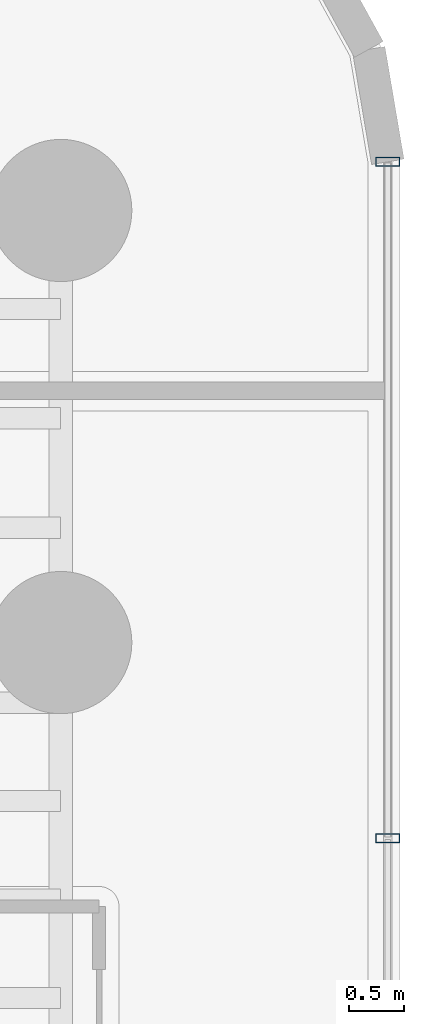
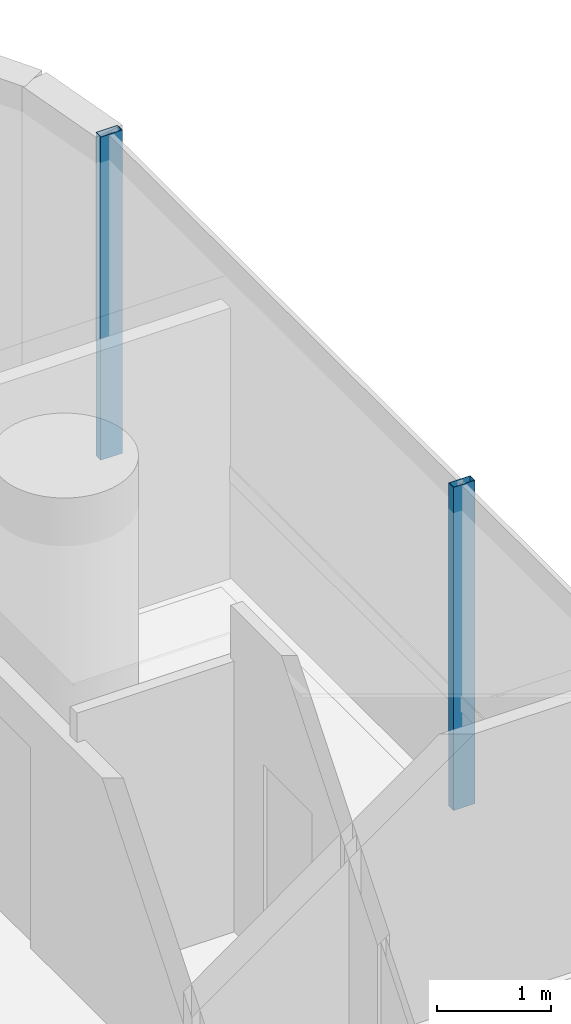
# One storey, part 27 of 42: 2 members, 1 element without a shape of its own.
"""IFC4 building model written with IfcOpenShell, lengths in metres."""

from ifc_helpers import new_model, si_unit, direction, frame, origin, origin_2d, place, context, subcontext, project, spatial, hollow_rectangle, extrude, source, transform, mapped, material, material_profile, profile_set, type_object, element, aggregate, save


model = new_model("IFC4")

# Units and contexts
model_context = context("Model", 3, precision=1e-05, world=origin(), true_north=direction((0.0, 1.0)))
body_context = subcontext(model_context, "Body", "Model", "MODEL_VIEW")
ifc_project = project(units=[si_unit("LENGTHUNIT", "METRE"), si_unit("AREAUNIT", "SQUARE_METRE"), si_unit("VOLUMEUNIT", "CUBIC_METRE"), si_unit("PLANEANGLEUNIT", "RADIAN"), si_unit("MASSUNIT", "GRAM", prefix="KILO")], contexts=[model_context])

# Site, building, storey
site_placement = place(None, origin())
site = spatial("IfcSite", under=ifc_project, at=site_placement, CompositionType="ELEMENT")
building_placement = place(site_placement, origin())
building = spatial("IfcBuilding", under=site, at=building_placement, Name="Valdorenza Pilgrim Sanctuary Tower", CompositionType="ELEMENT")
storey_placement = place(building_placement, frame((0.0, 0.0, 29.699951171875)))
storey = spatial("IfcBuildingStorey", under=building, at=storey_placement, Name="L06", CompositionType="ELEMENT", Elevation=29.699951171875)

# Curtain wall, members
ifc_material_1 = material(Name="Curtain-wall IGU glazing", Category="glass")
curtain_wall_type = type_object("IfcCurtainWallType", Name="CW-SYS-03", PredefinedType="NOTDEFINED", material=ifc_material_1)
curtain_wall_placement = place(storey_placement, origin())
curtain_wall = element("IfcCurtainWall", 1, at=curtain_wall_placement, inside=storey, type_object=curtain_wall_type, Name="L06 Curtain Wall CW-L06-1-21", PredefinedType="NOTDEFINED")
ifc_material_2 = material(Name="Anodised aluminium AW-6060", Category="aluminium")
ifc_material_profile = material_profile(ifc_material_2, hollow_rectangle(XDim=0.0849609375, YDim=0.219970703125, WallThickness=0.0048828125, at=origin_2d()), Name="ALU-M 220x85x5")
ifc_profile_set = profile_set([ifc_material_profile], Name="Anodised aluminium AW-6060")
member_type = type_object("IfcMemberType", Name="CW-MUL-03", PredefinedType="MULLION", material=ifc_profile_set)
shared_shape = source(origin(), body_context, "Body", "SweptSolid", [
    extrude(hollow_rectangle(XDim=0.0849609375, YDim=0.219970703125, WallThickness=0.0048828125, at=origin_2d()), origin(), (0.0, 0.0, 1.0), 3.4599609375),
])
member_1_placement = place(storey_placement, frame((31.389892578125, 13.945068359375, 0.0), z_axis=(0.0, 0.0, 1.0), x_axis=(0.0, -1.0, 0.0)))
member_1 = element("IfcMember", 2, at=member_1_placement, type_object=member_type, Name="CW-L06-1-21 Mullion 1", PredefinedType="MULLION", context=body_context, shape_type="MappedRepresentation", body=[
    mapped(shared_shape, transform((0.0, 0.0, 0.0), x_axis=(1.0, 0.0, 0.0), y_axis=(0.0, 1.0, 0.0), z_axis=(0.0, 0.0, 1.0), scale=1.0)),
])
member_2_placement = place(storey_placement, frame((31.389892578125, 7.761474609375, 0.0), z_axis=(0.0, 0.0, 1.0), x_axis=(0.0, -1.0, 0.0)))
member_2 = element("IfcMember", 3, at=member_2_placement, type_object=member_type, Name="CW-L06-1-21 Mullion 2", PredefinedType="MULLION", context=body_context, shape_type="MappedRepresentation", body=[
    mapped(shared_shape, transform((0.0, 0.0, 0.0), x_axis=(1.0, 0.0, 0.0), y_axis=(0.0, 1.0, 0.0), z_axis=(0.0, 0.0, 1.0), scale=1.0)),
])
aggregate(curtain_wall, [member_1, member_2])

save(model, "model.ifc")
